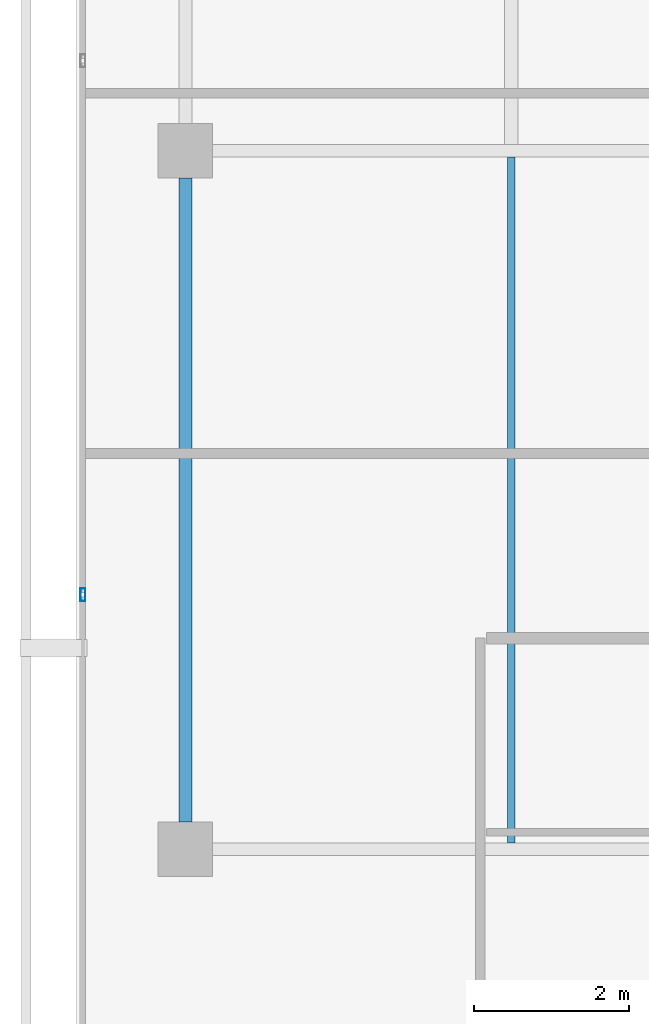
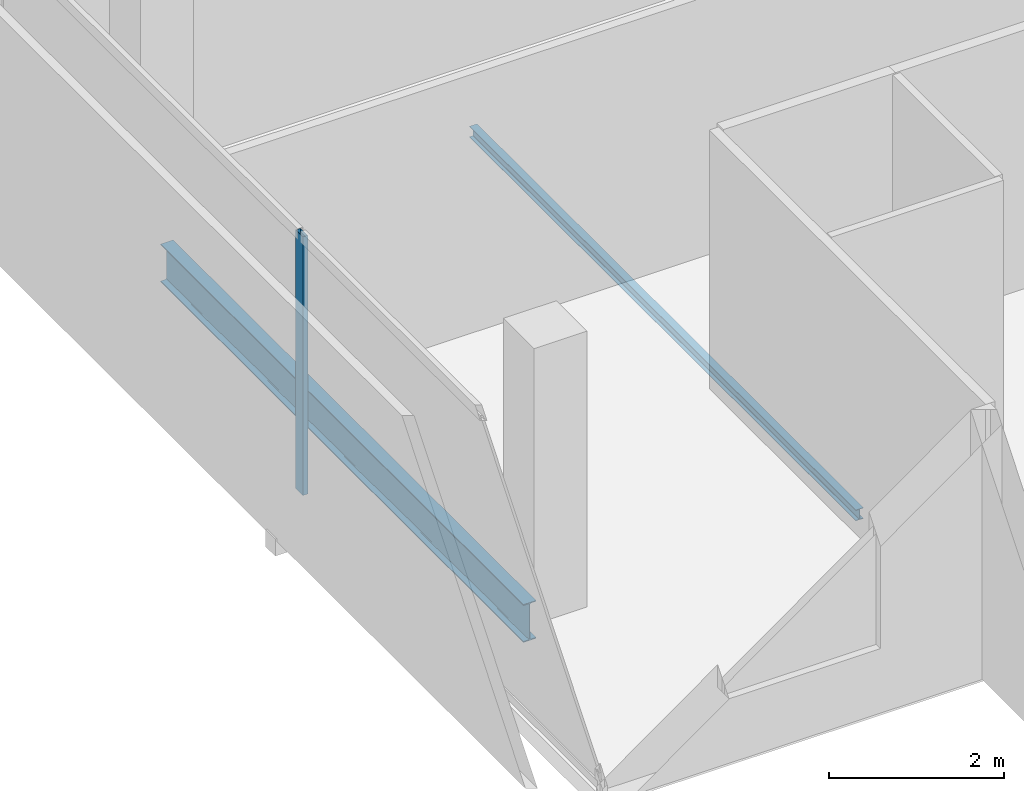
# One storey, part 4 of 25: 2 beams, 1 member, 1 element without a shape of its own.
"""IFC4 building model written with IfcOpenShell, lengths in metres."""

from ifc_helpers import new_model, si_unit, direction, frame, origin, origin_2d, place, context, subcontext, project, spatial, hollow_rectangle, i_section, extrude, material, layer, layer_set, material_profile, profile_set, type_object, element, aggregate, save


model = new_model("IFC4")

# Units and contexts
model_context = context("Model", 3, precision=1e-05, world=origin(), true_north=direction((0.0, 1.0)))
body_context = subcontext(model_context, "Body", "Model", "MODEL_VIEW")
ifc_project = project(units=[si_unit("LENGTHUNIT", "METRE"), si_unit("AREAUNIT", "SQUARE_METRE"), si_unit("VOLUMEUNIT", "CUBIC_METRE"), si_unit("PLANEANGLEUNIT", "RADIAN"), si_unit("MASSUNIT", "GRAM", prefix="KILO")], contexts=[model_context])

# Site, building, storey
site_placement = place(None, origin())
site = spatial("IfcSite", under=ifc_project, at=site_placement, CompositionType="ELEMENT")
building_placement = place(site_placement, origin())
building = spatial("IfcBuilding", under=site, at=building_placement, Name="Maruvema Waterfront Hotel and Observation Tower", CompositionType="ELEMENT")
storey_placement = place(building_placement, frame((0.0, 0.0, 277.89990234375)))
storey = spatial("IfcBuildingStorey", under=building, at=storey_placement, Name="L68", CompositionType="ELEMENT", Elevation=277.89990234375)

# Curtain wall, member
ifc_material_1 = material(Name="Anodised bronze aluminium and solar-control low-E IGU", Category="aluminium")
ifc_layer = layer(ifc_material_1, 0.159912109375, Name="Zone 3 Champagne Inner Thermal Curtain Wall System CW-04")
ifc_layer_set = layer_set([ifc_layer], Name="Anodised bronze aluminium and solar-control low-E IGU")
curtain_wall_type = type_object("IfcCurtainWallType", Name="Zone 3 Champagne Inner Thermal Curtain Wall System CW-04", PredefinedType="USERDEFINED", material=ifc_layer_set)
curtain_wall_placement = place(storey_placement, origin())
curtain_wall = element("IfcCurtainWall", 1, at=curtain_wall_placement, inside=storey, type_object=curtain_wall_type, Name="L68 Curtain Wall CW-L68-W", ObjectType="UNITISED CURTAIN WALL", PredefinedType="USERDEFINED")
ifc_material_2 = material(Name="Anodised architectural bronze aluminium", Category="aluminium")
ifc_material_profile_1 = material_profile(ifc_material_2, hollow_rectangle(XDim=0.06494140625, YDim=0.1650390625, WallThickness=0.00390625, at=origin_2d()), Name="ALU-M65x165")
ifc_profile_set_1 = profile_set([ifc_material_profile_1], Name="Anodised architectural bronze aluminium")
member_type = type_object("IfcMemberType", Name="Curtain Wall Primary Mullion ALU-M65x165", PredefinedType="MULLION", material=ifc_profile_set_1)
member_placement = place(storey_placement, frame((15.47998046875, 21.280029296875, 0.0), z_axis=(0.0, 0.0, 1.0), x_axis=(1.0, 0.0, 0.0)))
member = element("IfcMember", 2, at=member_placement, type_object=member_type, Name="CW-04 mullion 5", PredefinedType="MULLION", context=body_context, shape_type="SweptSolid", body=[
    extrude(hollow_rectangle(XDim=0.06494140625, YDim=0.1650390625, WallThickness=0.00390625, at=origin_2d()), origin(), (0.0, 0.0, 1.0), 3.610107421875),
])
aggregate(curtain_wall, [member])

# Beams
ifc_material_3 = material(Name="Steel ASTM A572 Grade 50", Category="steel")
ifc_material_profile_2 = material_profile(ifc_material_3, i_section(OverallWidth=0.166015625, OverallDepth=0.529052734375, WebThickness=0.009765625, FlangeThickness=0.013671875, FilletRadius=0.014892578125, at=origin_2d()), Name="W530x74.0")
ifc_profile_set_2 = profile_set([ifc_material_profile_2], Name="Steel ASTM A572 Grade 50")
beam_type_1 = type_object("IfcBeamType", Name="Primary Floor Girder W530x74.0", PredefinedType="BEAM", material=ifc_profile_set_2)
beam_1_placement = place(storey_placement, frame((16.800048828125, 18.35009765625, -0.50439453125), z_axis=(0.0, 1.0, 0.0), x_axis=(-1.0, 0.0, 0.0)))
element("IfcBeam", 3, at=beam_1_placement, inside=storey, type_object=beam_type_1, Name="L68 Floor Girder NS-01", PredefinedType="BEAM", context=body_context, shape_type="SweptSolid", body=[
    extrude(i_section(OverallWidth=0.166015625, OverallDepth=0.529052734375, WebThickness=0.009765625, FlangeThickness=0.013671875, FilletRadius=0.014892578125, at=origin_2d()), origin(), (0.0, 0.0, 1.0), 8.2998046875),
])
ifc_material_4 = material(Name="Steel ASTM A572 Grade 50", Category="steel")
ifc_material_profile_3 = material_profile(ifc_material_4, i_section(OverallWidth=0.10009765625, OverallDepth=0.153076171875, WebThickness=0.005859375, FlangeThickness=0.007080078125, FilletRadius=0.008056640625, at=origin_2d()), Name="W150x18.0")
ifc_profile_set_3 = profile_set([ifc_material_profile_3], Name="Steel ASTM A572 Grade 50")
beam_type_2 = type_object("IfcBeamType", Name="Secondary Floor Joist W150x18.0", PredefinedType="JOIST", material=ifc_profile_set_3)
beam_2_placement = place(storey_placement, frame((21.0, 18.0830078125, -0.31640625), z_axis=(0.0, 1.0, 0.0), x_axis=(-1.0, 0.0, 0.0)))
element("IfcBeam", 4, at=beam_2_placement, inside=storey, type_object=beam_type_2, Name="L68 Secondary Floor Joist JS-01", PredefinedType="JOIST", context=body_context, shape_type="SweptSolid", body=[
    extrude(i_section(OverallWidth=0.10009765625, OverallDepth=0.153076171875, WebThickness=0.005859375, FlangeThickness=0.007080078125, FilletRadius=0.008056640625, at=origin_2d()), origin(), (0.0, 0.0, 1.0), 8.833984375),
])

save(model, "model.ifc")
